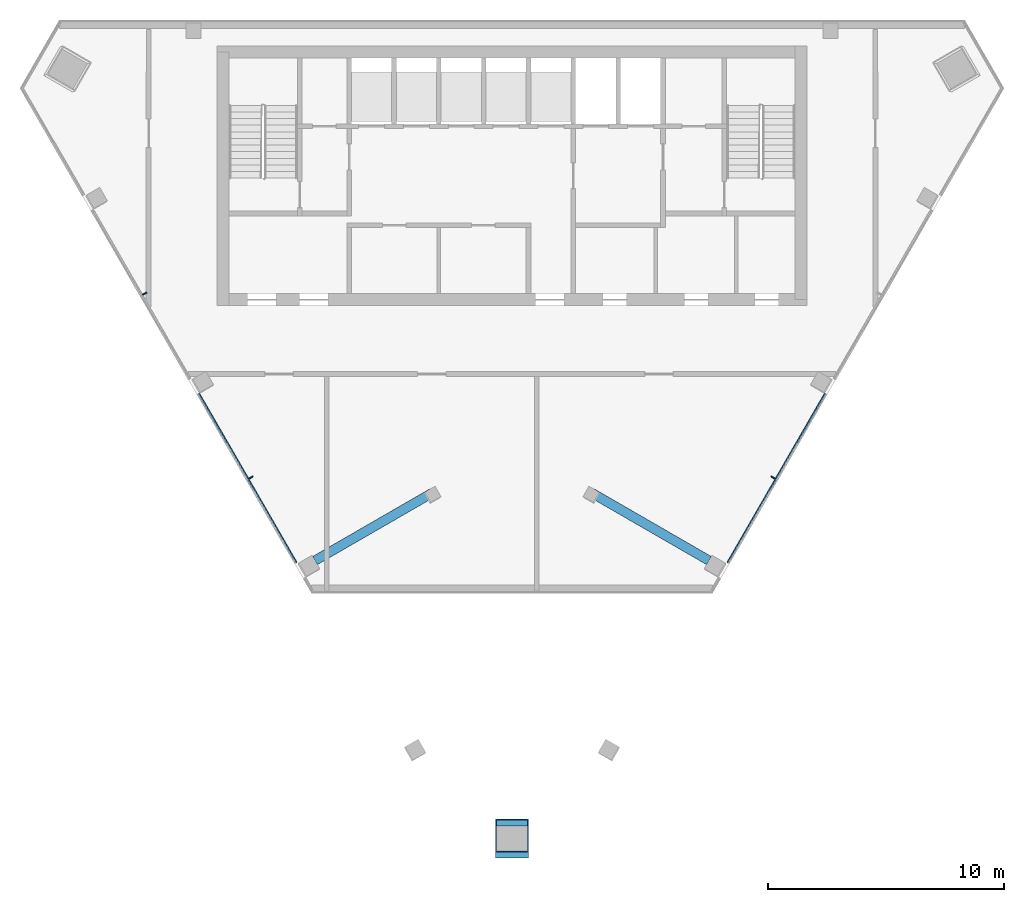
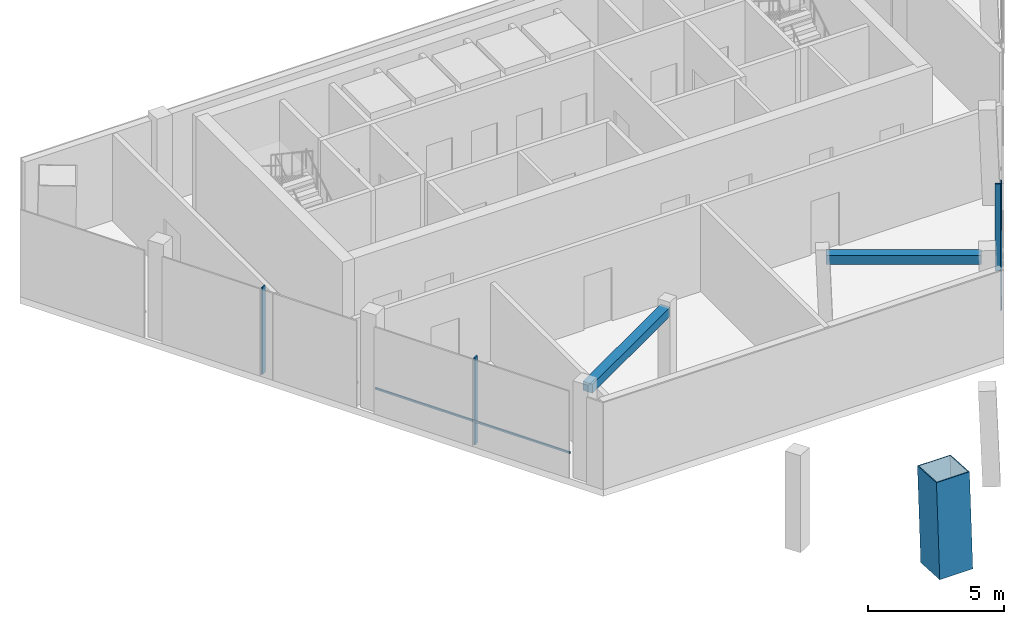
# One storey, part 2 of 8: 6 members, 2 beams, 2 elements without a shape of their own.
"""IFC4 building model written with IfcOpenShell, lengths in metres."""

from ifc_helpers import new_model, si_unit, direction, frame, origin, origin_2d, place, context, subcontext, project, spatial, rectangle, hollow_rectangle, extrude, material, layer, layer_set, material_profile, profile_set, type_object, element, aggregate, save


model = new_model("IFC4")

# Units and contexts
model_context = context("Model", 3, precision=1e-05, world=origin(), true_north=direction((0.0, 1.0)))
body_context = subcontext(model_context, "Body", "Model", "MODEL_VIEW")
ifc_project = project(units=[si_unit("LENGTHUNIT", "METRE"), si_unit("AREAUNIT", "SQUARE_METRE"), si_unit("VOLUMEUNIT", "CUBIC_METRE"), si_unit("PLANEANGLEUNIT", "RADIAN"), si_unit("MASSUNIT", "GRAM", prefix="KILO")], contexts=[model_context])

# Site, building, storey
site_placement = place(None, origin())
site = spatial("IfcSite", under=ifc_project, at=site_placement, CompositionType="ELEMENT")
building_placement = place(site_placement, origin())
building = spatial("IfcBuilding", under=site, at=building_placement, Name="Altiplano Prism Tower", CompositionType="ELEMENT")
storey_placement = place(building_placement, frame((0.0, 0.0, 338.800048828125)))
storey = spatial("IfcBuildingStorey", under=building, at=storey_placement, Name="L88", CompositionType="ELEMENT", Elevation=338.800048828125)

# Curtain wall, members
ifc_material_1 = material(Name="Aluminium and glass", Category="aluminium")
ifc_layer = layer(ifc_material_1, 0.320068359375)
ifc_layer_set = layer_set([ifc_layer], Name="Aluminium and glass")
curtain_wall_type = type_object("IfcCurtainWallType", Name="CW6 louvred plant-floor curtain wall", PredefinedType="NOTDEFINED", material=ifc_layer_set)
curtain_wall_1_placement = place(storey_placement, origin())
curtain_wall_1 = element("IfcCurtainWall", 1, at=curtain_wall_1_placement, inside=storey, type_object=curtain_wall_type, Name="CW6 curtain wall south-west face L88", PredefinedType="NOTDEFINED")
ifc_material_2 = material(Name="Aluminium", Category="aluminium")
ifc_material_profile_1 = material_profile(ifc_material_2, rectangle(XDim=0.199951171875, YDim=0.06005859375, at=origin_2d()), Name="CW6 mullion 60 x 200")
ifc_profile_set_1 = profile_set([ifc_material_profile_1], Name="Aluminium")
member_type_1 = type_object("IfcMemberType", Name="CW6 mullion 60 x 200", PredefinedType="MULLION", material=ifc_profile_set_1)
member_1_placement = place(storey_placement, frame((69.431884765625, 93.40380859375, 0.0), z_axis=(0.0, 0.0, 1.0), x_axis=(0.866025403304, 0.500000000831, 0.0)))
member_1 = element("IfcMember", 2, at=member_1_placement, type_object=member_type_1, Name="CW6 mullion", PredefinedType="MULLION", context=body_context, shape_type="SweptSolid", body=[
    extrude(rectangle(XDim=0.199951171875, YDim=0.06005859375, at=origin_2d()), origin(), (0.0, 0.0, 1.0), 3.89990234375),
])
member_2_placement = place(storey_placement, frame((73.931884765625, 85.609619140625, 0.0), z_axis=(0.0, 0.0, 1.0), x_axis=(0.866025403304, 0.500000000831, 0.0)))
member_2 = element("IfcMember", 3, at=member_2_placement, type_object=member_type_1, Name="CW6 mullion", PredefinedType="MULLION", context=body_context, shape_type="SweptSolid", body=[
    extrude(rectangle(XDim=0.199951171875, YDim=0.06005859375, at=origin_2d()), origin(), (0.0, 0.0, 1.0), 3.89990234375),
])

# Curtain wall, member
curtain_wall_2_placement = place(storey_placement, origin())
curtain_wall_2 = element("IfcCurtainWall", 4, at=curtain_wall_2_placement, inside=storey, type_object=curtain_wall_type, Name="CW6 curtain wall south-east face L88", PredefinedType="NOTDEFINED")
member_3_placement = place(storey_placement, frame((96.068115234375, 85.609619140625, 0.0), z_axis=(0.0, 0.0, 1.0), x_axis=(-0.866025403304, 0.500000000831, 0.0)))
member_3 = element("IfcMember", 5, at=member_3_placement, type_object=member_type_1, Name="CW6 mullion", PredefinedType="MULLION", context=body_context, shape_type="SweptSolid", body=[
    extrude(rectangle(XDim=0.199951171875, YDim=0.06005859375, at=origin_2d()), origin(), (0.0, 0.0, 1.0), 3.89990234375),
])

# Member
ifc_material_profile_2 = material_profile(ifc_material_2, rectangle(XDim=0.06005859375, YDim=0.080078125, at=origin_2d()), Name="CW6 transom 80 x 60")
ifc_profile_set_2 = profile_set([ifc_material_profile_2], Name="Aluminium")
member_type_2 = type_object("IfcMemberType", Name="CW6 transom 80 x 60", PredefinedType="USERDEFINED", material=ifc_profile_set_2)
member_4_placement = place(storey_placement, frame((71.732177734375, 89.159912109375, 1.099853515625), z_axis=(0.499980985926, -0.866036381287, 0.0), x_axis=(0.866036381287, 0.499980985926, 0.0)))
member_4 = element("IfcMember", 6, at=member_4_placement, type_object=member_type_2, Name="CW6 transom", ObjectType="TRANSOM", PredefinedType="USERDEFINED", context=body_context, shape_type="SweptSolid", body=[
    extrude(rectangle(XDim=0.06005859375, YDim=0.080078125, at=origin_2d()), origin(), (0.0, 0.0, 1.0), 8.256103515625),
])

aggregate(curtain_wall_1, [member_1, member_2, member_4])

member_5_placement = place(storey_placement, frame((94.139892578125, 82.009765625, 1.099853515625), z_axis=(0.499980985926, 0.866036381287, 0.0), x_axis=(-0.866036381287, 0.499980985926, 0.0)))
member_5 = element("IfcMember", 7, at=member_5_placement, type_object=member_type_2, Name="CW6 transom", ObjectType="TRANSOM", PredefinedType="USERDEFINED", context=body_context, shape_type="SweptSolid", body=[
    extrude(rectangle(XDim=0.06005859375, YDim=0.080078125, at=origin_2d()), origin(), (0.0, 0.0, 1.0), 8.256103515625),
])

aggregate(curtain_wall_2, [member_3, member_5])

ifc_material_3 = material(Name="Steel S460", Category="steel")
ifc_material_profile_3 = material_profile(ifc_material_3, hollow_rectangle(XDim=1.39990234375, YDim=1.39990234375, WallThickness=0.0400390625, at=origin_2d()), Name="Mega column tube 1400")
ifc_profile_set_3 = profile_set([ifc_material_profile_3], Name="Steel S460")
member_type_3 = type_object("IfcMemberType", Name="Mega column tube 1400", PredefinedType="POST", material=ifc_profile_set_3)
member_6_placement = place(storey_placement, frame((85.0, 70.186279296875, 0.0), z_axis=(0.0, 0.058320606545, 0.998297904862), x_axis=(-1.0, 0.0, 0.0)))
element("IfcMember", 8, at=member_6_placement, inside=storey, type_object=member_type_3, Name="Mega column tube M1 L88", PredefinedType="POST", context=body_context, shape_type="SweptSolid", body=[
    extrude(hollow_rectangle(XDim=1.39990234375, YDim=1.39990234375, WallThickness=0.0400390625, at=origin_2d()), origin(), (0.0, 0.0, 1.0), 4.20703125),
])

# Beams
ifc_material_4 = material(Name="Concrete C60/75", Category="concrete")
ifc_material_profile_4 = material_profile(ifc_material_4, rectangle(XDim=0.39990234375, YDim=0.39990234375, at=origin_2d()), Name="Tie beam 400x400")
ifc_profile_set_4 = profile_set([ifc_material_profile_4], Name="Concrete C60/75")
beam_type = type_object("IfcBeamType", Name="Tie beam 400x400", PredefinedType="BEAM", material=ifc_profile_set_4)
for number, where, z_axis, x_axis, name in (
    (9, (81.601318359375, 84.94921875, 3.699951171875), (-0.866007731267, -0.500030608449, 0.0), (0.500030608449, -0.866007731267, 0.0), "Tie beam I13 L89"),
    (10, (88.398681640625, 84.94921875, 3.699951171875), (0.866007731267, -0.500030608449, 0.0), (0.500030608449, 0.866007731267, 0.0), "Tie beam I22 L89"),
):
    element("IfcBeam", number, at=place(storey_placement, frame(where, z_axis=z_axis, x_axis=x_axis)), inside=storey, type_object=beam_type, Name=name, PredefinedType="BEAM", context=body_context, shape_type="SweptSolid", body=[
        extrude(rectangle(XDim=0.39990234375, YDim=0.39990234375, at=origin_2d()), origin(), (0.0, 0.0, 1.0), 5.715087890625),
    ])

save(model, "model.ifc")
